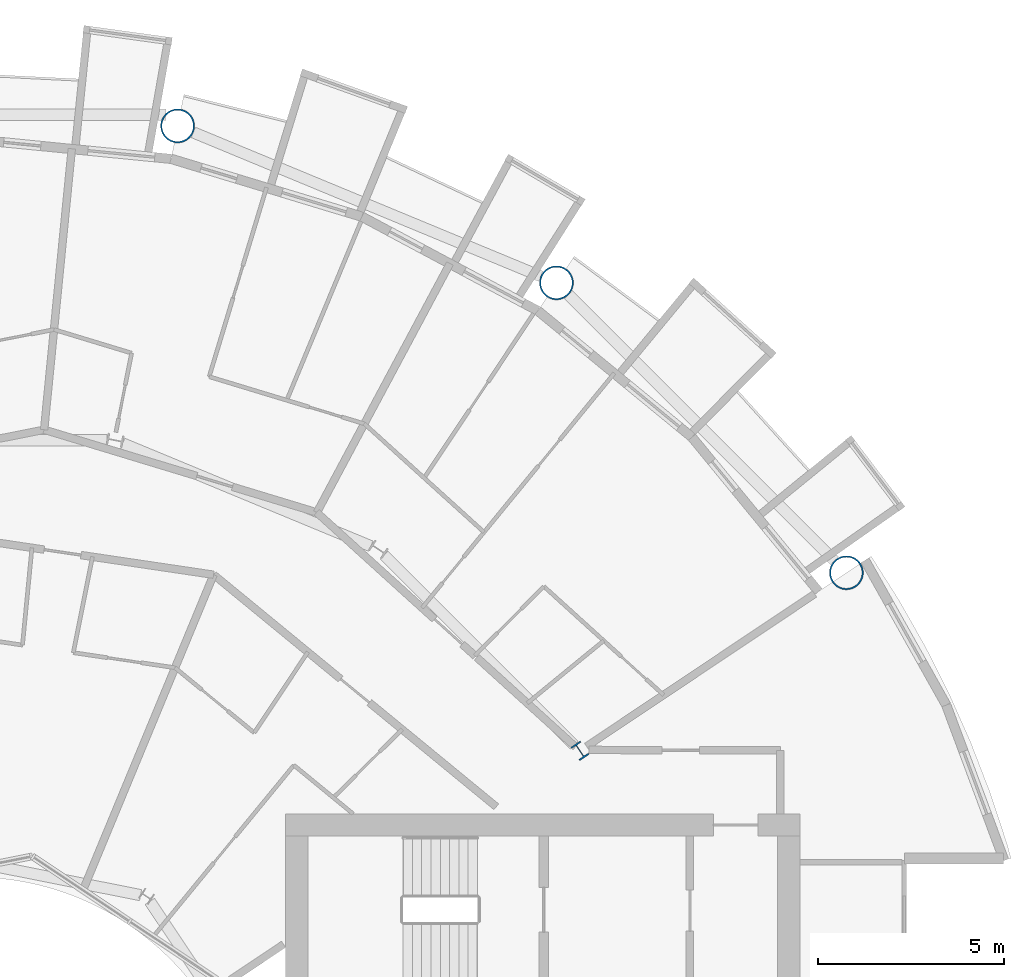
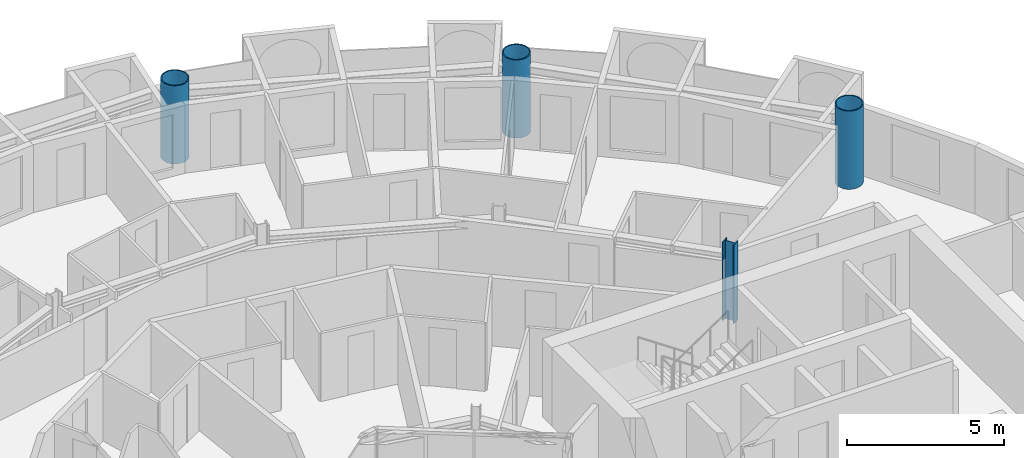
# One storey, part 4 of 27: 4 columns.
"""IFC4 building model written with IfcOpenShell, lengths in metres."""

from ifc_helpers import new_model, si_unit, direction, frame, origin, origin_2d, place, context, subcontext, project, spatial, hollow_circle, i_section, extrude, material, material_profile, profile_set, type_object, element, save


model = new_model("IFC4")

# Units and contexts
model_context = context("Model", 3, precision=1e-05, world=origin(), true_north=direction((0.0, 1.0)))
body_context = subcontext(model_context, "Body", "Model", "MODEL_VIEW")
ifc_project = project(units=[si_unit("LENGTHUNIT", "METRE"), si_unit("AREAUNIT", "SQUARE_METRE"), si_unit("VOLUMEUNIT", "CUBIC_METRE"), si_unit("PLANEANGLEUNIT", "RADIAN"), si_unit("MASSUNIT", "GRAM", prefix="KILO")], contexts=[model_context])

# Site, building, storey
site_placement = place(None, origin())
site = spatial("IfcSite", under=ifc_project, at=site_placement, CompositionType="ELEMENT")
building_placement = place(site_placement, origin())
building = spatial("IfcBuilding", under=site, at=building_placement, Name="Maasbend Ring Residences", CompositionType="ELEMENT")
storey_placement = place(building_placement, frame((0.0, 0.0, 136.050048828125)))
storey = spatial("IfcBuildingStorey", under=building, at=storey_placement, Name="L39", CompositionType="ELEMENT", Elevation=136.050048828125)

# Columns
ifc_material_1 = material(Name="Composite concrete-filled steel tube S460NH / C80/95", Category="concrete")
ifc_material_profile_1 = material_profile(ifc_material_1, hollow_circle(Radius=0.45703125, WallThickness=0.0400390625, at=origin_2d()), Name="Composite tube column CHS 914x40")
ifc_profile_set_1 = profile_set([ifc_material_profile_1], Name="Composite concrete-filled steel tube S460NH / C80/95")
column_type_1 = type_object("IfcColumnType", Name="Composite tube column CHS 914x40", PredefinedType="COLUMN", material=ifc_profile_set_1)
for number, where, z_axis, x_axis, name in (
    (1, (23.447509765625, 15.6669921875, 0.0), (0.0, 0.0, 1.0), (1.0, 0.0, 0.0), "Outer column R2"),
    (2, (15.6669921875, 23.447509765625, 0.0), (0.0, 0.0, 1.0), (1.0, 0.0, 0.0), "Outer column R3"),
    (3, (5.50146484375, 27.658203125, 0.0), (0.0, 0.0, 1.0), (1.0, 0.0, 0.0), "Outer column R4"),
):
    element("IfcColumn", number, at=place(storey_placement, frame(where, z_axis=z_axis, x_axis=x_axis)), inside=storey, type_object=column_type_1, Name=name, PredefinedType="COLUMN", context=body_context, shape_type="SweptSolid", body=[
        extrude(hollow_circle(Radius=0.45703125, WallThickness=0.0400390625, at=origin_2d()), origin(), (0.0, 0.0, 1.0), 3.050048828125),
    ])
ifc_material_2 = material(Name="Steel S460M", Category="steel")
ifc_material_profile_2 = material_profile(ifc_material_2, i_section(OverallWidth=0.306884765625, OverallDepth=0.431884765625, WebThickness=0.02099609375, FlangeThickness=0.0400390625, FilletRadius=0.027099609375, at=origin_2d()), Name="HEM 400")
ifc_profile_set_2 = profile_set([ifc_material_profile_2], Name="Steel S460M")
column_type_2 = type_object("IfcColumnType", Name="Steel column HEM 400", PredefinedType="COLUMN", material=ifc_profile_set_2)
column_placement = place(storey_placement, frame((16.296875, 10.88916015625, 0.0), z_axis=(0.0, 0.0, 1.0), x_axis=(0.831469612303, 0.55557023302, 0.0)))
element("IfcColumn", 4, at=column_placement, inside=storey, type_object=column_type_2, Name="Corridor ring column R2", PredefinedType="COLUMN", context=body_context, shape_type="SweptSolid", body=[
    extrude(i_section(OverallWidth=0.306884765625, OverallDepth=0.431884765625, WebThickness=0.02099609375, FlangeThickness=0.0400390625, FilletRadius=0.027099609375, at=origin_2d()), origin(), (0.0, 0.0, 1.0), 3.050048828125),
])

save(model, "model.ifc")
